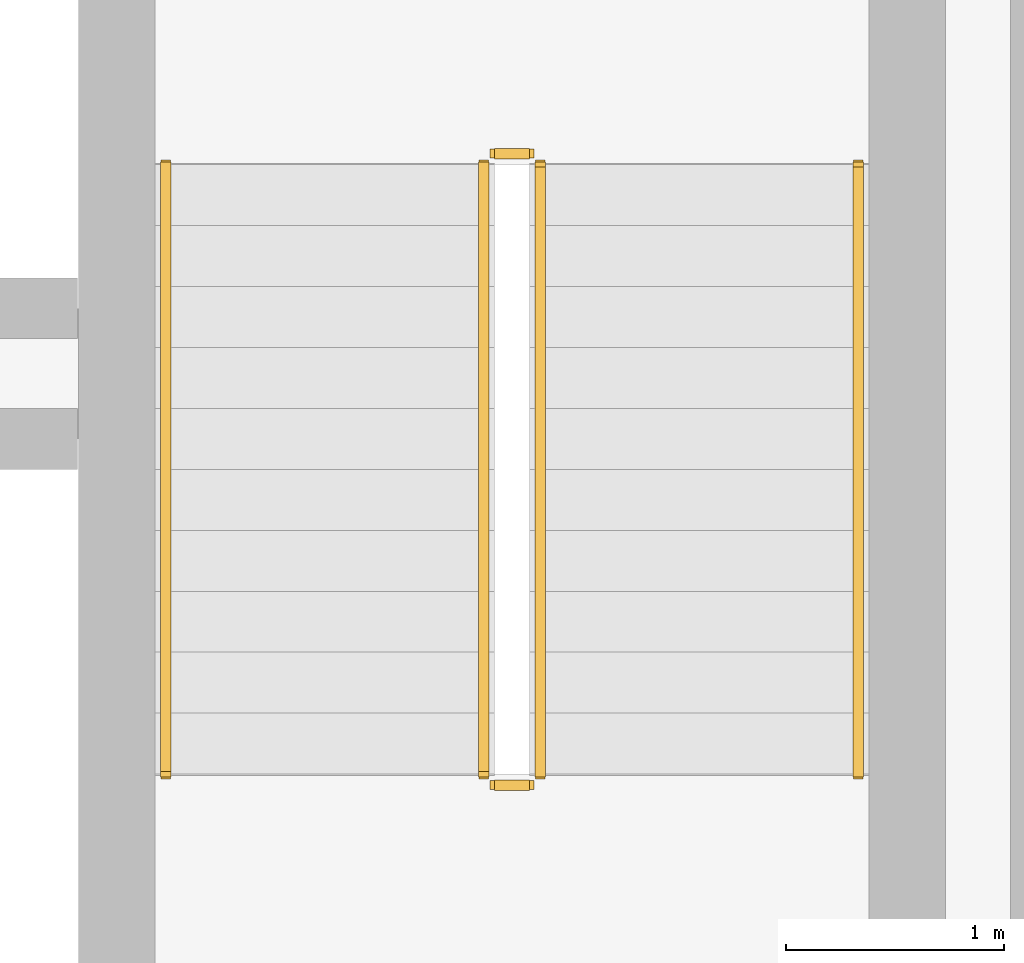
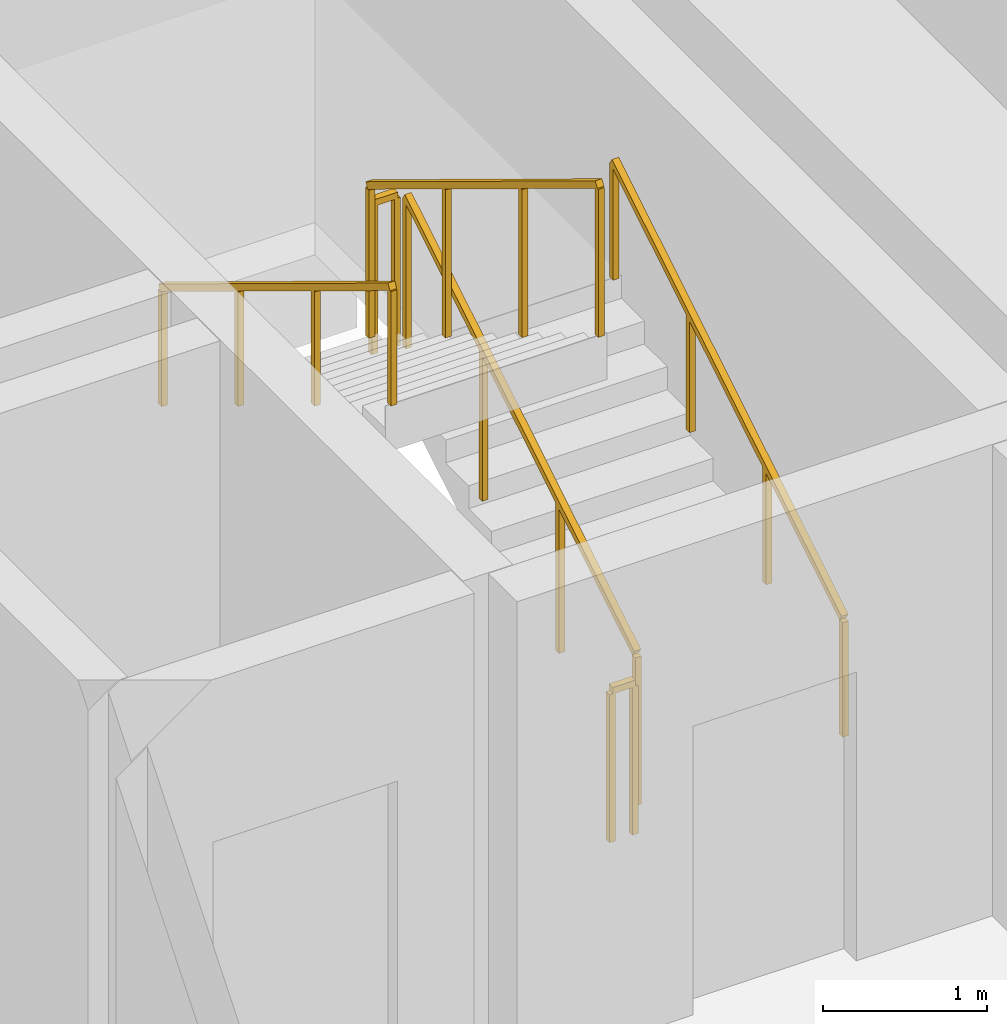
# One storey, part 15 of 15: 6 railings.
"""IFC4 building model written with IfcOpenShell, lengths in metres."""

from ifc_helpers import new_model, si_unit, direction, frame, origin, origin_2d, place, context, subcontext, project, spatial, rectangle, extrude, material, type_object, element, save


model = new_model("IFC4")

# Units and contexts
model_context = context("Model", 3, precision=1e-05, world=origin(), true_north=direction((0.0, 1.0)))
body_context = subcontext(model_context, "Body", "Model", "MODEL_VIEW")
ifc_project = project(units=[si_unit("LENGTHUNIT", "METRE"), si_unit("AREAUNIT", "SQUARE_METRE"), si_unit("VOLUMEUNIT", "CUBIC_METRE"), si_unit("PLANEANGLEUNIT", "RADIAN"), si_unit("MASSUNIT", "GRAM", prefix="KILO")], contexts=[model_context])

# Site, building, storey
site_placement = place(None, origin())
site = spatial("IfcSite", under=ifc_project, at=site_placement, CompositionType="ELEMENT")
building_placement = place(site_placement, origin())
building = spatial("IfcBuilding", under=site, at=building_placement, Name="Kaelvorn Grand Hotel", CompositionType="ELEMENT")
storey_placement = place(building_placement, frame((0.0, 0.0, 68.89990234375)))
storey = spatial("IfcBuildingStorey", under=building, at=storey_placement, Name="L15", CompositionType="ELEMENT", Elevation=68.89990234375)

# Railings
ifc_material = material(Name="Stainless Steel", Category="steel")
railing_type_1 = type_object("IfcRailingType", Name="RL-HANDRAIL-900", PredefinedType="HANDRAIL", material=ifc_material)
railing_1_placement = place(storey_placement, frame((66.550048828125, 41.760009765625, 0.170654296875)))
element("IfcRailing", 1, at=railing_1_placement, inside=storey, type_object=railing_type_1, Name="L15 ST3 stair handrail 1", PredefinedType="HANDRAIL", context=body_context, shape_type="SweptSolid", body=[
    extrude(rectangle(XDim=0.048095703125, YDim=0.048095703125, at=origin_2d()), frame((0.0, 0.0, 0.8759765625), z_axis=(0.0, 0.854202870247, 0.519939858505), x_axis=(-1.0, 0.0, 0.0)), (0.0, 0.0, 1.0), 3.278076171875),
    extrude(rectangle(XDim=0.0419921875, YDim=0.0419921875, at=origin_2d()), origin(), (0.0, 0.0, 1.0), 0.851806640625),
    extrude(rectangle(XDim=0.0419921875, YDim=0.0419921875, at=origin_2d()), frame((0.0, 0.933349609375, 0.568115234375)), (0.0, 0.0, 1.0), 0.851806640625),
    extrude(rectangle(XDim=0.0419921875, YDim=0.0419921875, at=origin_2d()), frame((0.0, 1.86669921875, 1.13623046875)), (0.0, 0.0, 1.0), 0.851806640625),
    extrude(rectangle(XDim=0.0419921875, YDim=0.0419921875, at=origin_2d()), frame((0.0, 2.800048828125, 1.704345703125)), (0.0, 0.0, 1.0), 0.851806640625),
])
railing_2_placement = place(storey_placement, frame((63.3701171875, 44.56005859375, 2.045654296875)))
element("IfcRailing", 2, at=railing_2_placement, inside=storey, type_object=railing_type_1, Name="L15 ST3 stair handrail 2", PredefinedType="HANDRAIL", context=body_context, shape_type="SweptSolid", body=[
    extrude(rectangle(XDim=0.048095703125, YDim=0.048095703125, at=origin_2d()), frame((0.0, 0.0, 0.8759765625), z_axis=(0.0, -0.854202870247, 0.519939858505), x_axis=(1.0, 0.0, 0.0)), (0.0, 0.0, 1.0), 3.278076171875),
    extrude(rectangle(XDim=0.0419921875, YDim=0.0419921875, at=origin_2d()), origin(), (0.0, 0.0, 1.0), 0.851806640625),
    extrude(rectangle(XDim=0.0419921875, YDim=0.0419921875, at=origin_2d()), frame((0.0, -0.933349609375, 0.568115234375)), (0.0, 0.0, 1.0), 0.851806640625),
    extrude(rectangle(XDim=0.0419921875, YDim=0.0419921875, at=origin_2d()), frame((0.0, -1.86669921875, 1.13623046875)), (0.0, 0.0, 1.0), 0.851806640625),
    extrude(rectangle(XDim=0.0419921875, YDim=0.0419921875, at=origin_2d()), frame((0.0, -2.800048828125, 1.704345703125)), (0.0, 0.0, 1.0), 0.851806640625),
])
railing_type_2 = type_object("IfcRailingType", Name="RL-STAIR-GUARD-1150", PredefinedType="BALUSTRADE", material=ifc_material)
railing_3_placement = place(storey_placement, frame((65.090087890625, 41.760009765625, 0.170654296875)))
element("IfcRailing", 3, at=railing_3_placement, inside=storey, type_object=railing_type_2, Name="L15 ST3 stair guard 1", PredefinedType="BALUSTRADE", context=body_context, shape_type="SweptSolid", body=[
    extrude(rectangle(XDim=0.048095703125, YDim=0.048095703125, at=origin_2d()), frame((0.0, 0.0, 1.1259765625), z_axis=(0.0, 0.854202870247, 0.519939858505), x_axis=(-1.0, 0.0, 0.0)), (0.0, 0.0, 1.0), 3.278076171875),
    extrude(rectangle(XDim=0.0419921875, YDim=0.0419921875, at=origin_2d()), origin(), (0.0, 0.0, 1.0), 1.101806640625),
    extrude(rectangle(XDim=0.0419921875, YDim=0.0419921875, at=origin_2d()), frame((0.0, 0.933349609375, 0.568115234375)), (0.0, 0.0, 1.0), 1.101806640625),
    extrude(rectangle(XDim=0.0419921875, YDim=0.0419921875, at=origin_2d()), frame((0.0, 1.86669921875, 1.13623046875)), (0.0, 0.0, 1.0), 1.101806640625),
    extrude(rectangle(XDim=0.0419921875, YDim=0.0419921875, at=origin_2d()), frame((0.0, 2.800048828125, 1.704345703125)), (0.0, 0.0, 1.0), 1.101806640625),
])
railing_4_placement = place(storey_placement, frame((65.0400390625, 44.610107421875, 1.875)))
element("IfcRailing", 4, at=railing_4_placement, inside=storey, type_object=railing_type_2, Name="L15 ST3 stair guard 2", PredefinedType="BALUSTRADE", context=body_context, shape_type="SweptSolid", body=[
    extrude(rectangle(XDim=0.048095703125, YDim=0.048095703125, at=origin_2d()), frame((0.0, 0.0, 1.1259765625), z_axis=(-1.0, 0.0, 0.0), x_axis=(0.0, -1.0, 0.0)), (0.0, 0.0, 1.0), 0.16015625),
    extrude(rectangle(XDim=0.0419921875, YDim=0.0419921875, at=origin_2d()), origin(), (0.0, 0.0, 1.0), 1.101806640625),
    extrude(rectangle(XDim=0.0419921875, YDim=0.0419921875, at=origin_2d()), frame((-0.16015625, 0.0, 0.0)), (0.0, 0.0, 1.0), 1.101806640625),
])
railing_5_placement = place(storey_placement, frame((64.830078125, 44.56005859375, 2.045654296875)))
element("IfcRailing", 5, at=railing_5_placement, inside=storey, type_object=railing_type_2, Name="L15 ST3 stair guard 3", PredefinedType="BALUSTRADE", context=body_context, shape_type="SweptSolid", body=[
    extrude(rectangle(XDim=0.048095703125, YDim=0.048095703125, at=origin_2d()), frame((0.0, 0.0, 1.1259765625), z_axis=(0.0, -0.854202870247, 0.519939858505), x_axis=(1.0, 0.0, 0.0)), (0.0, 0.0, 1.0), 3.278076171875),
    extrude(rectangle(XDim=0.0419921875, YDim=0.0419921875, at=origin_2d()), origin(), (0.0, 0.0, 1.0), 1.101806640625),
    extrude(rectangle(XDim=0.0419921875, YDim=0.0419921875, at=origin_2d()), frame((0.0, -0.933349609375, 0.568115234375)), (0.0, 0.0, 1.0), 1.101806640625),
    extrude(rectangle(XDim=0.0419921875, YDim=0.0419921875, at=origin_2d()), frame((0.0, -1.86669921875, 1.13623046875)), (0.0, 0.0, 1.0), 1.101806640625),
    extrude(rectangle(XDim=0.0419921875, YDim=0.0419921875, at=origin_2d()), frame((0.0, -2.800048828125, 1.704345703125)), (0.0, 0.0, 1.0), 1.101806640625),
])
railing_6_placement = place(storey_placement, frame((65.0400390625, 41.7099609375, 0.0)))
element("IfcRailing", 6, at=railing_6_placement, inside=storey, type_object=railing_type_2, Name="L15 ST3 stair guard 4", PredefinedType="BALUSTRADE", context=body_context, shape_type="SweptSolid", body=[
    extrude(rectangle(XDim=0.048095703125, YDim=0.048095703125, at=origin_2d()), frame((0.0, 0.0, 1.1259765625), z_axis=(-1.0, 0.0, 0.0), x_axis=(0.0, -1.0, 0.0)), (0.0, 0.0, 1.0), 0.16015625),
    extrude(rectangle(XDim=0.0419921875, YDim=0.0419921875, at=origin_2d()), origin(), (0.0, 0.0, 1.0), 1.101806640625),
    extrude(rectangle(XDim=0.0419921875, YDim=0.0419921875, at=origin_2d()), frame((-0.16015625, 0.0, 0.0)), (0.0, 0.0, 1.0), 1.101806640625),
])

save(model, "model.ifc")
